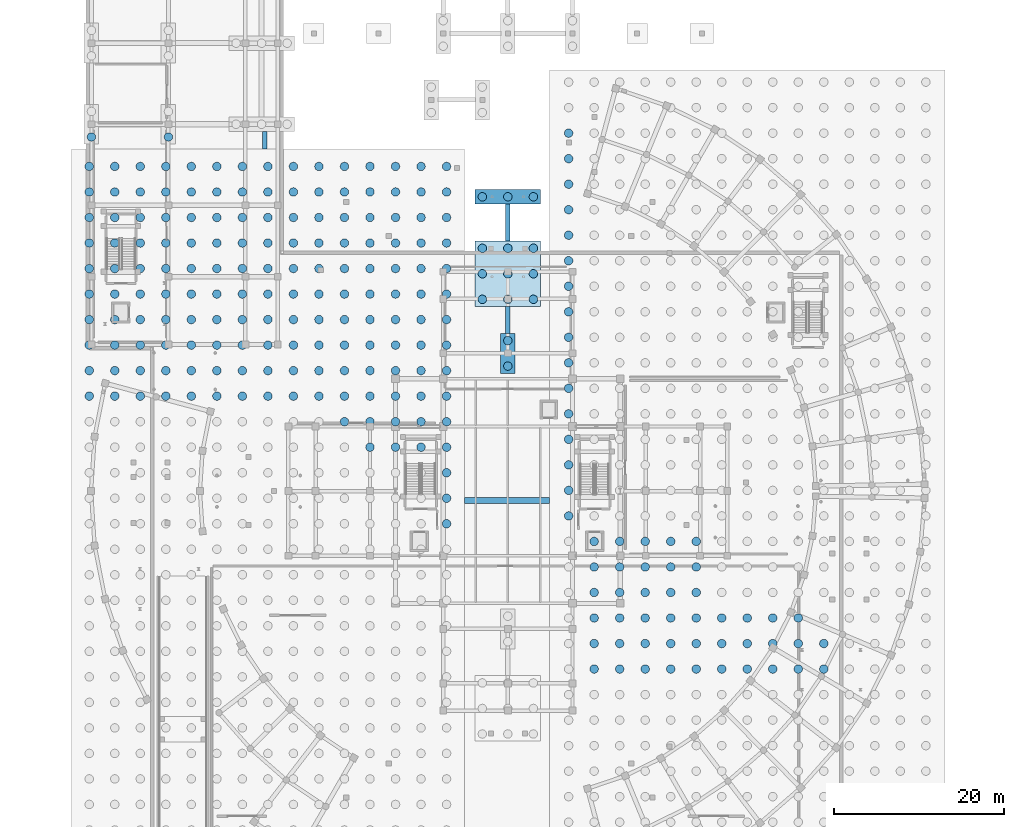
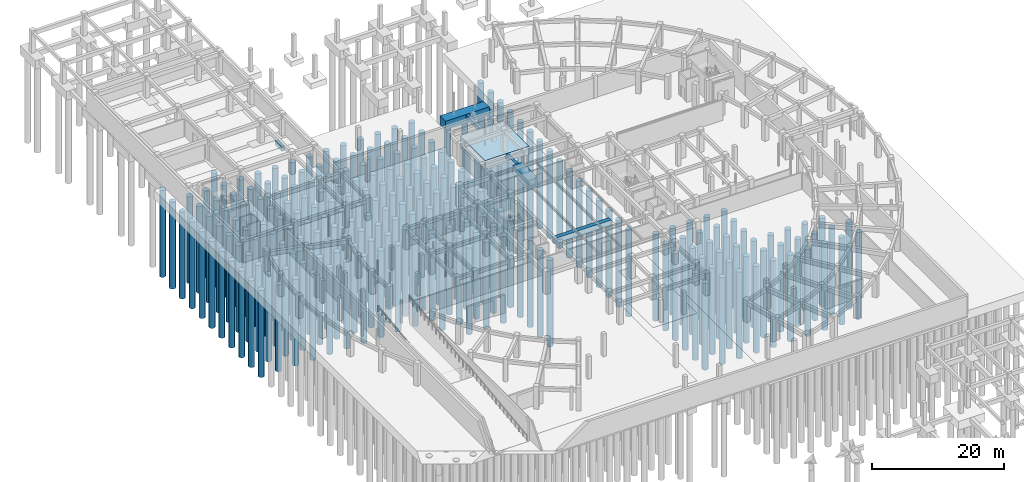
# One storey, part 4 of 33: 238 piles, 7 footings.
"""IFC4 building model written with IfcOpenShell, lengths in metres."""

from ifc_helpers import new_model, si_unit, direction, frame, origin, origin_2d, place, context, subcontext, project, spatial, rectangle, circle, extrude, material, material_profile, profile_set, type_object, element, save


model = new_model("IFC4")

# Units and contexts
model_context = context("Model", 3, precision=1e-05, world=origin(), true_north=direction((0.0, 1.0)))
body_context = subcontext(model_context, "Body", "Model", "MODEL_VIEW")
ifc_project = project(units=[si_unit("LENGTHUNIT", "METRE"), si_unit("AREAUNIT", "SQUARE_METRE"), si_unit("VOLUMEUNIT", "CUBIC_METRE"), si_unit("PLANEANGLEUNIT", "RADIAN"), si_unit("MASSUNIT", "GRAM", prefix="KILO")], contexts=[model_context])

# Site, building, storey
site_placement = place(None, origin())
site = spatial("IfcSite", under=ifc_project, at=site_placement, CompositionType="ELEMENT")
building_placement = place(site_placement, origin())
building = spatial("IfcBuilding", under=site, at=building_placement, Name="Saryqyr Civic Hall", CompositionType="ELEMENT")
storey_placement = place(building_placement, frame((0.0, 0.0, -4.199951171875)))
storey = spatial("IfcBuildingStorey", under=building, at=storey_placement, Name="B1", CompositionType="ELEMENT", Elevation=-4.199951171875)

# Footings
ifc_material = material(Name="Concrete C35/45", Category="concrete")
footing_type_1 = type_object("IfcFootingType", Name="STR-FB-500x800", PredefinedType="FOOTING_BEAM", material=ifc_material)
footing_1_placement = place(storey_placement, frame((28.422119140625, 125.24853515625, -0.80029296875), z_axis=(0.0, 0.0, 1.0), x_axis=(1.0, 0.0, 0.0)))
element("IfcFooting", 1, at=footing_1_placement, inside=storey, type_object=footing_type_1, Name="Ground tie beam FND-FB-056", PredefinedType="FOOTING_BEAM", context=body_context, shape_type="SweptSolid", body=[
    extrude(rectangle(XDim=0.5, YDim=2.06298828125, at=origin_2d()), origin(), (0.0, 0.0, 1.0), 0.800048828125),
])
footing_2_placement = place(storey_placement, frame((57.0, 104.125, -0.80029296875), z_axis=(0.0, 0.0, 1.0), x_axis=(1.0, 0.0, 0.0)))
element("IfcFooting", 2, at=footing_2_placement, inside=storey, type_object=footing_type_1, Name="Ground tie beam FND-FB-058", PredefinedType="FOOTING_BEAM", context=body_context, shape_type="SweptSolid", body=[
    extrude(rectangle(XDim=0.5, YDim=3.14990234375, at=origin_2d()), origin(), (0.0, 0.0, 1.0), 0.800048828125),
])
footing_3_placement = place(storey_placement, frame((57.0, 115.574951171875, -0.80029296875), z_axis=(0.0, 0.0, 1.0), x_axis=(1.0, 0.0, 0.0)))
element("IfcFooting", 3, at=footing_3_placement, inside=storey, type_object=footing_type_1, Name="Ground tie beam FND-FB-059", PredefinedType="FOOTING_BEAM", context=body_context, shape_type="SweptSolid", body=[
    extrude(rectangle(XDim=0.5, YDim=4.35009765625, at=origin_2d()), origin(), (0.0, 0.0, 1.0), 0.800048828125),
])
footing_type_2 = type_object("IfcFootingType", Name="STR-FB-700x1000", PredefinedType="FOOTING_BEAM", material=ifc_material)
footing_4_placement = place(storey_placement, frame((56.89404296875, 82.8759765625, -1.0), z_axis=(0.0, 0.0, 1.0), x_axis=(1.0, 0.0, 0.0)))
element("IfcFooting", 4, at=footing_4_placement, inside=storey, type_object=footing_type_2, Name="Ground tie beam FND-FB-055", PredefinedType="FOOTING_BEAM", context=body_context, shape_type="SweptSolid", body=[
    extrude(rectangle(XDim=10.0, YDim=0.699951171875, at=origin_2d()), origin(), (0.0, 0.0, 1.0), 1.0),
])
footing_type_3 = type_object("IfcFootingType", Name="STR-PCAP-1700x4700x1600", PredefinedType="PILE_CAP", material=ifc_material)
footing_5_placement = place(storey_placement, frame((57.0, 100.199951171875, -1.60009765625), z_axis=(0.0, 0.0, 1.0), x_axis=(1.0, 0.0, 0.0)))
element("IfcFooting", 5, at=footing_5_placement, inside=storey, type_object=footing_type_3, Name="Reinforced concrete pile cap FND-PCAP-047", PredefinedType="PILE_CAP", context=body_context, shape_type="SweptSolid", body=[
    extrude(rectangle(XDim=1.699951171875, YDim=4.699951171875, at=origin_2d()), origin(), (0.0, 0.0, 1.0), 1.60009765625),
])
footing_type_4 = type_object("IfcFootingType", Name="STR-PCAP-7700x1700x1600", PredefinedType="PILE_CAP", material=ifc_material)
footing_6_placement = place(storey_placement, frame((57.0, 118.60009765625, -1.60009765625), z_axis=(0.0, 0.0, 1.0), x_axis=(1.0, 0.0, 0.0)))
element("IfcFooting", 6, at=footing_6_placement, inside=storey, type_object=footing_type_4, Name="Reinforced concrete pile cap FND-PCAP-049", PredefinedType="PILE_CAP", context=body_context, shape_type="SweptSolid", body=[
    extrude(rectangle(XDim=7.699951171875, YDim=1.699951171875, at=origin_2d()), origin(), (0.0, 0.0, 1.0), 1.60009765625),
])
footing_type_5 = type_object("IfcFootingType", Name="STR-PCAP-7700x7700x1600", PredefinedType="PILE_CAP", material=ifc_material)
footing_7_placement = place(storey_placement, frame((57.0, 109.550048828125, -1.60009765625), z_axis=(0.0, 0.0, 1.0), x_axis=(1.0, 0.0, 0.0)))
element("IfcFooting", 7, at=footing_7_placement, inside=storey, type_object=footing_type_5, Name="Reinforced concrete pile cap FND-PCAP-048", PredefinedType="PILE_CAP", context=body_context, shape_type="SweptSolid", body=[
    extrude(rectangle(XDim=7.699951171875, YDim=7.699951171875, at=origin_2d()), origin(), (0.0, 0.0, 1.0), 1.60009765625),
])

# Piles
ifc_material_profile = material_profile(ifc_material, circle(Radius=0.5, at=origin_2d()), Name="BORED PILE D1000")
ifc_profile_set = profile_set([ifc_material_profile], Name="Concrete C35/45")
pile_type = type_object("IfcPileType", Name="STR-PILE-D1000", PredefinedType="BORED", material=ifc_profile_set)
for number, where, z_axis, x_axis, name in (
    (8, (64.14404296875, 81.0849609375, -1.5), (0.0, 0.0, -1.0), (1.0, 0.0, 0.0), "Bored pile FND-PCAP-043-P16"),
    (9, (64.14404296875, 84.0849609375, -1.5), (0.0, 0.0, -1.0), (1.0, 0.0, 0.0), "Bored pile FND-PCAP-043-P17"),
    (10, (64.14404296875, 87.0849609375, -1.5), (0.0, 0.0, -1.0), (1.0, 0.0, 0.0), "Bored pile FND-PCAP-043-P18"),
    (11, (64.14404296875, 90.0849609375, -1.5), (0.0, 0.0, -1.0), (1.0, 0.0, 0.0), "Bored pile FND-PCAP-043-P19"),
    (12, (64.14404296875, 93.0849609375, -1.5), (0.0, 0.0, -1.0), (1.0, 0.0, 0.0), "Bored pile FND-PCAP-043-P20"),
    (13, (64.14404296875, 96.0849609375, -1.5), (0.0, 0.0, -1.0), (1.0, 0.0, 0.0), "Bored pile FND-PCAP-043-P21"),
    (14, (64.14404296875, 99.0849609375, -1.5), (0.0, 0.0, -1.0), (1.0, 0.0, 0.0), "Bored pile FND-PCAP-043-P22"),
    (15, (64.14404296875, 102.0849609375, -1.5), (0.0, 0.0, -1.0), (1.0, 0.0, 0.0), "Bored pile FND-PCAP-043-P23"),
    (16, (64.14404296875, 105.0849609375, -1.5), (0.0, 0.0, -1.0), (1.0, 0.0, 0.0), "Bored pile FND-PCAP-043-P24"),
    (17, (64.14404296875, 108.0849609375, -1.5), (0.0, 0.0, -1.0), (1.0, 0.0, 0.0), "Bored pile FND-PCAP-043-P25"),
    (18, (64.14404296875, 111.0849609375, -1.5), (0.0, 0.0, -1.0), (1.0, 0.0, 0.0), "Bored pile FND-PCAP-043-P26"),
    (19, (64.14404296875, 114.0849609375, -1.5), (0.0, 0.0, -1.0), (1.0, 0.0, 0.0), "Bored pile FND-PCAP-043-P27"),
    (20, (64.14404296875, 117.0849609375, -1.5), (0.0, 0.0, -1.0), (1.0, 0.0, 0.0), "Bored pile FND-PCAP-043-P28"),
    (21, (64.14404296875, 120.0849609375, -1.5), (0.0, 0.0, -1.0), (1.0, 0.0, 0.0), "Bored pile FND-PCAP-043-P29"),
    (22, (64.14404296875, 123.0849609375, -1.5), (0.0, 0.0, -1.0), (1.0, 0.0, 0.0), "Bored pile FND-PCAP-043-P30"),
    (23, (64.14404296875, 126.0849609375, -1.5), (0.0, 0.0, -1.0), (1.0, 0.0, 0.0), "Bored pile FND-PCAP-043-P31"),
    (24, (67.14404296875, 63.0849609375, -1.5), (0.0, 0.0, -1.0), (1.0, 0.0, 0.0), "Bored pile FND-PCAP-043-P43"),
    (25, (67.14404296875, 66.0849609375, -1.5), (0.0, 0.0, -1.0), (1.0, 0.0, 0.0), "Bored pile FND-PCAP-043-P44"),
    (26, (67.14404296875, 69.0849609375, -1.5), (0.0, 0.0, -1.0), (1.0, 0.0, 0.0), "Bored pile FND-PCAP-043-P45"),
    (27, (67.14404296875, 72.0849609375, -1.5), (0.0, 0.0, -1.0), (1.0, 0.0, 0.0), "Bored pile FND-PCAP-043-P46"),
    (28, (67.14404296875, 75.0849609375, -1.5), (0.0, 0.0, -1.0), (1.0, 0.0, 0.0), "Bored pile FND-PCAP-043-P47"),
    (29, (67.14404296875, 78.0849609375, -1.5), (0.0, 0.0, -1.0), (1.0, 0.0, 0.0), "Bored pile FND-PCAP-043-P48"),
    (30, (70.14404296875, 63.0849609375, -1.5), (0.0, 0.0, -1.0), (1.0, 0.0, 0.0), "Bored pile FND-PCAP-043-P76"),
    (31, (70.14404296875, 66.0849609375, -1.5), (0.0, 0.0, -1.0), (1.0, 0.0, 0.0), "Bored pile FND-PCAP-043-P77"),
    (32, (70.14404296875, 69.0849609375, -1.5), (0.0, 0.0, -1.0), (1.0, 0.0, 0.0), "Bored pile FND-PCAP-043-P78"),
    (33, (70.14404296875, 72.0849609375, -1.5), (0.0, 0.0, -1.0), (1.0, 0.0, 0.0), "Bored pile FND-PCAP-043-P79"),
    (34, (70.14404296875, 75.0849609375, -1.5), (0.0, 0.0, -1.0), (1.0, 0.0, 0.0), "Bored pile FND-PCAP-043-P80"),
    (35, (70.14404296875, 78.0849609375, -1.5), (0.0, 0.0, -1.0), (1.0, 0.0, 0.0), "Bored pile FND-PCAP-043-P81"),
    (36, (73.14404296875, 63.0849609375, -1.5), (0.0, 0.0, -1.0), (1.0, 0.0, 0.0), "Bored pile FND-PCAP-043-P109"),
    (37, (73.14404296875, 66.0849609375, -1.5), (0.0, 0.0, -1.0), (1.0, 0.0, 0.0), "Bored pile FND-PCAP-043-P110"),
    (38, (73.14404296875, 69.0849609375, -1.5), (0.0, 0.0, -1.0), (1.0, 0.0, 0.0), "Bored pile FND-PCAP-043-P111"),
    (39, (73.14404296875, 72.0849609375, -1.5), (0.0, 0.0, -1.0), (1.0, 0.0, 0.0), "Bored pile FND-PCAP-043-P112"),
    (40, (73.14404296875, 75.0849609375, -1.5), (0.0, 0.0, -1.0), (1.0, 0.0, 0.0), "Bored pile FND-PCAP-043-P113"),
    (41, (73.14404296875, 78.0849609375, -1.5), (0.0, 0.0, -1.0), (1.0, 0.0, 0.0), "Bored pile FND-PCAP-043-P114"),
    (42, (76.14404296875, 63.0849609375, -1.5), (0.0, 0.0, -1.0), (1.0, 0.0, 0.0), "Bored pile FND-PCAP-043-P142"),
    (43, (76.14404296875, 66.0849609375, -1.5), (0.0, 0.0, -1.0), (1.0, 0.0, 0.0), "Bored pile FND-PCAP-043-P143"),
    (44, (76.14404296875, 69.0849609375, -1.5), (0.0, 0.0, -1.0), (1.0, 0.0, 0.0), "Bored pile FND-PCAP-043-P144"),
    (45, (76.14404296875, 72.0849609375, -1.5), (0.0, 0.0, -1.0), (1.0, 0.0, 0.0), "Bored pile FND-PCAP-043-P145"),
    (46, (76.14404296875, 75.0849609375, -1.5), (0.0, 0.0, -1.0), (1.0, 0.0, 0.0), "Bored pile FND-PCAP-043-P146"),
    (47, (76.14404296875, 78.0849609375, -1.5), (0.0, 0.0, -1.0), (1.0, 0.0, 0.0), "Bored pile FND-PCAP-043-P147"),
    (48, (79.14404296875, 63.0849609375, -1.5), (0.0, 0.0, -1.0), (1.0, 0.0, 0.0), "Bored pile FND-PCAP-043-P175"),
    (49, (79.14404296875, 66.0849609375, -1.5), (0.0, 0.0, -1.0), (1.0, 0.0, 0.0), "Bored pile FND-PCAP-043-P176"),
    (50, (79.14404296875, 69.0849609375, -1.5), (0.0, 0.0, -1.0), (1.0, 0.0, 0.0), "Bored pile FND-PCAP-043-P177"),
    (51, (79.14404296875, 72.0849609375, -1.5), (0.0, 0.0, -1.0), (1.0, 0.0, 0.0), "Bored pile FND-PCAP-043-P178"),
    (52, (79.14404296875, 75.0849609375, -1.5), (0.0, 0.0, -1.0), (1.0, 0.0, 0.0), "Bored pile FND-PCAP-043-P179"),
    (53, (79.14404296875, 78.0849609375, -1.5), (0.0, 0.0, -1.0), (1.0, 0.0, 0.0), "Bored pile FND-PCAP-043-P180"),
    (54, (82.14404296875, 63.0849609375, -1.5), (0.0, 0.0, -1.0), (1.0, 0.0, 0.0), "Bored pile FND-PCAP-043-P208"),
    (55, (82.14404296875, 66.0849609375, -1.5), (0.0, 0.0, -1.0), (1.0, 0.0, 0.0), "Bored pile FND-PCAP-043-P209"),
    (56, (82.14404296875, 69.0849609375, -1.5), (0.0, 0.0, -1.0), (1.0, 0.0, 0.0), "Bored pile FND-PCAP-043-P210"),
    (57, (85.14404296875, 63.0849609375, -1.5), (0.0, 0.0, -1.0), (1.0, 0.0, 0.0), "Bored pile FND-PCAP-043-P241"),
    (58, (85.14404296875, 66.0849609375, -1.5), (0.0, 0.0, -1.0), (1.0, 0.0, 0.0), "Bored pile FND-PCAP-043-P242"),
    (59, (85.14404296875, 69.0849609375, -1.5), (0.0, 0.0, -1.0), (1.0, 0.0, 0.0), "Bored pile FND-PCAP-043-P243"),
    (60, (88.14404296875, 63.0849609375, -1.5), (0.0, 0.0, -1.0), (1.0, 0.0, 0.0), "Bored pile FND-PCAP-043-P274"),
    (61, (88.14404296875, 66.0849609375, -1.5), (0.0, 0.0, -1.0), (1.0, 0.0, 0.0), "Bored pile FND-PCAP-043-P275"),
    (62, (88.14404296875, 69.0849609375, -1.5), (0.0, 0.0, -1.0), (1.0, 0.0, 0.0), "Bored pile FND-PCAP-043-P276"),
    (63, (91.14404296875, 63.0849609375, -1.5), (0.0, 0.0, -1.0), (1.0, 0.0, 0.0), "Bored pile FND-PCAP-043-P307"),
    (64, (91.14404296875, 66.0849609375, -1.5), (0.0, 0.0, -1.0), (1.0, 0.0, 0.0), "Bored pile FND-PCAP-043-P308"),
    (65, (91.14404296875, 69.0849609375, -1.5), (0.0, 0.0, -1.0), (1.0, 0.0, 0.0), "Bored pile FND-PCAP-043-P309"),
    (66, (94.14404296875, 63.0849609375, -1.5), (0.0, 0.0, -1.0), (1.0, 0.0, 0.0), "Bored pile FND-PCAP-043-P340"),
    (67, (94.14404296875, 66.0849609375, -1.5), (0.0, 0.0, -1.0), (1.0, 0.0, 0.0), "Bored pile FND-PCAP-043-P341"),
    (68, (7.7939453125, 95.1669921875, -1.5), (0.0, 0.0, -1.0), (1.0, 0.0, 0.0), "Bored pile FND-PCAP-044-P19"),
    (69, (7.7939453125, 98.1669921875, -1.5), (0.0, 0.0, -1.0), (1.0, 0.0, 0.0), "Bored pile FND-PCAP-044-P20"),
    (70, (7.7939453125, 101.1669921875, -1.5), (0.0, 0.0, -1.0), (1.0, 0.0, 0.0), "Bored pile FND-PCAP-044-P21"),
    (71, (7.7939453125, 104.1669921875, -1.5), (0.0, 0.0, -1.0), (1.0, 0.0, 0.0), "Bored pile FND-PCAP-044-P22"),
    (72, (7.7939453125, 107.1669921875, -1.5), (0.0, 0.0, -1.0), (1.0, 0.0, 0.0), "Bored pile FND-PCAP-044-P23"),
    (73, (7.7939453125, 110.1669921875, -1.5), (0.0, 0.0, -1.0), (1.0, 0.0, 0.0), "Bored pile FND-PCAP-044-P24"),
    (74, (7.7939453125, 113.1669921875, -1.5), (0.0, 0.0, -1.0), (1.0, 0.0, 0.0), "Bored pile FND-PCAP-044-P25"),
    (75, (7.7939453125, 116.1669921875, -1.5), (0.0, 0.0, -1.0), (1.0, 0.0, 0.0), "Bored pile FND-PCAP-044-P26"),
    (76, (7.7939453125, 119.1669921875, -1.5), (0.0, 0.0, -1.0), (1.0, 0.0, 0.0), "Bored pile FND-PCAP-044-P27"),
    (77, (7.7939453125, 122.1669921875, -1.5), (0.0, 0.0, -1.0), (1.0, 0.0, 0.0), "Bored pile FND-PCAP-044-P28"),
    (78, (10.7939453125, 95.1669921875, -1.5), (0.0, 0.0, -1.0), (1.0, 0.0, 0.0), "Bored pile FND-PCAP-044-P47"),
    (79, (10.7939453125, 98.1669921875, -1.5), (0.0, 0.0, -1.0), (1.0, 0.0, 0.0), "Bored pile FND-PCAP-044-P48"),
    (80, (10.7939453125, 101.1669921875, -1.5), (0.0, 0.0, -1.0), (1.0, 0.0, 0.0), "Bored pile FND-PCAP-044-P49"),
    (81, (10.7939453125, 104.1669921875, -1.5), (0.0, 0.0, -1.0), (1.0, 0.0, 0.0), "Bored pile FND-PCAP-044-P50"),
    (82, (10.7939453125, 107.1669921875, -1.5), (0.0, 0.0, -1.0), (1.0, 0.0, 0.0), "Bored pile FND-PCAP-044-P51"),
    (83, (10.7939453125, 110.1669921875, -1.5), (0.0, 0.0, -1.0), (1.0, 0.0, 0.0), "Bored pile FND-PCAP-044-P52"),
    (84, (10.7939453125, 113.1669921875, -1.5), (0.0, 0.0, -1.0), (1.0, 0.0, 0.0), "Bored pile FND-PCAP-044-P53"),
    (85, (10.7939453125, 116.1669921875, -1.5), (0.0, 0.0, -1.0), (1.0, 0.0, 0.0), "Bored pile FND-PCAP-044-P54"),
    (86, (10.7939453125, 119.1669921875, -1.5), (0.0, 0.0, -1.0), (1.0, 0.0, 0.0), "Bored pile FND-PCAP-044-P55"),
    (87, (10.7939453125, 122.1669921875, -1.5), (0.0, 0.0, -1.0), (1.0, 0.0, 0.0), "Bored pile FND-PCAP-044-P56"),
    (88, (13.7939453125, 95.1669921875, -1.5), (0.0, 0.0, -1.0), (1.0, 0.0, 0.0), "Bored pile FND-PCAP-044-P75"),
    (89, (13.7939453125, 98.1669921875, -1.5), (0.0, 0.0, -1.0), (1.0, 0.0, 0.0), "Bored pile FND-PCAP-044-P76"),
    (90, (13.7939453125, 101.1669921875, -1.5), (0.0, 0.0, -1.0), (1.0, 0.0, 0.0), "Bored pile FND-PCAP-044-P77"),
    (91, (13.7939453125, 104.1669921875, -1.5), (0.0, 0.0, -1.0), (1.0, 0.0, 0.0), "Bored pile FND-PCAP-044-P78"),
    (92, (13.7939453125, 107.1669921875, -1.5), (0.0, 0.0, -1.0), (1.0, 0.0, 0.0), "Bored pile FND-PCAP-044-P79"),
    (93, (13.7939453125, 110.1669921875, -1.5), (0.0, 0.0, -1.0), (1.0, 0.0, 0.0), "Bored pile FND-PCAP-044-P80"),
    (94, (13.7939453125, 113.1669921875, -1.5), (0.0, 0.0, -1.0), (1.0, 0.0, 0.0), "Bored pile FND-PCAP-044-P81"),
    (95, (13.7939453125, 116.1669921875, -1.5), (0.0, 0.0, -1.0), (1.0, 0.0, 0.0), "Bored pile FND-PCAP-044-P82"),
    (96, (13.7939453125, 119.1669921875, -1.5), (0.0, 0.0, -1.0), (1.0, 0.0, 0.0), "Bored pile FND-PCAP-044-P83"),
    (97, (13.7939453125, 122.1669921875, -1.5), (0.0, 0.0, -1.0), (1.0, 0.0, 0.0), "Bored pile FND-PCAP-044-P84"),
    (98, (16.7939453125, 95.1669921875, -1.5), (0.0, 0.0, -1.0), (1.0, 0.0, 0.0), "Bored pile FND-PCAP-044-P103"),
    (99, (16.7939453125, 98.1669921875, -1.5), (0.0, 0.0, -1.0), (1.0, 0.0, 0.0), "Bored pile FND-PCAP-044-P104"),
    (100, (16.7939453125, 101.1669921875, -1.5), (0.0, 0.0, -1.0), (1.0, 0.0, 0.0), "Bored pile FND-PCAP-044-P105"),
    (101, (16.7939453125, 104.1669921875, -1.5), (0.0, 0.0, -1.0), (1.0, 0.0, 0.0), "Bored pile FND-PCAP-044-P106"),
    (102, (16.7939453125, 107.1669921875, -1.5), (0.0, 0.0, -1.0), (1.0, 0.0, 0.0), "Bored pile FND-PCAP-044-P107"),
    (103, (16.7939453125, 110.1669921875, -1.5), (0.0, 0.0, -1.0), (1.0, 0.0, 0.0), "Bored pile FND-PCAP-044-P108"),
    (104, (16.7939453125, 113.1669921875, -1.5), (0.0, 0.0, -1.0), (1.0, 0.0, 0.0), "Bored pile FND-PCAP-044-P109"),
    (105, (16.7939453125, 116.1669921875, -1.5), (0.0, 0.0, -1.0), (1.0, 0.0, 0.0), "Bored pile FND-PCAP-044-P110"),
    (106, (16.7939453125, 119.1669921875, -1.5), (0.0, 0.0, -1.0), (1.0, 0.0, 0.0), "Bored pile FND-PCAP-044-P111"),
    (107, (16.7939453125, 122.1669921875, -1.5), (0.0, 0.0, -1.0), (1.0, 0.0, 0.0), "Bored pile FND-PCAP-044-P112"),
    (108, (19.7939453125, 95.1669921875, -1.5), (0.0, 0.0, -1.0), (1.0, 0.0, 0.0), "Bored pile FND-PCAP-044-P131"),
    (109, (19.7939453125, 98.1669921875, -1.5), (0.0, 0.0, -1.0), (1.0, 0.0, 0.0), "Bored pile FND-PCAP-044-P132"),
    (110, (19.7939453125, 101.1669921875, -1.5), (0.0, 0.0, -1.0), (1.0, 0.0, 0.0), "Bored pile FND-PCAP-044-P133"),
    (111, (19.7939453125, 104.1669921875, -1.5), (0.0, 0.0, -1.0), (1.0, 0.0, 0.0), "Bored pile FND-PCAP-044-P134"),
    (112, (19.7939453125, 107.1669921875, -1.5), (0.0, 0.0, -1.0), (1.0, 0.0, 0.0), "Bored pile FND-PCAP-044-P135"),
    (113, (19.7939453125, 110.1669921875, -1.5), (0.0, 0.0, -1.0), (1.0, 0.0, 0.0), "Bored pile FND-PCAP-044-P136"),
    (114, (19.7939453125, 113.1669921875, -1.5), (0.0, 0.0, -1.0), (1.0, 0.0, 0.0), "Bored pile FND-PCAP-044-P137"),
    (115, (19.7939453125, 116.1669921875, -1.5), (0.0, 0.0, -1.0), (1.0, 0.0, 0.0), "Bored pile FND-PCAP-044-P138"),
    (116, (19.7939453125, 119.1669921875, -1.5), (0.0, 0.0, -1.0), (1.0, 0.0, 0.0), "Bored pile FND-PCAP-044-P139"),
    (117, (19.7939453125, 122.1669921875, -1.5), (0.0, 0.0, -1.0), (1.0, 0.0, 0.0), "Bored pile FND-PCAP-044-P140"),
    (118, (22.7939453125, 95.1669921875, -1.5), (0.0, 0.0, -1.0), (1.0, 0.0, 0.0), "Bored pile FND-PCAP-044-P159"),
    (119, (22.7939453125, 98.1669921875, -1.5), (0.0, 0.0, -1.0), (1.0, 0.0, 0.0), "Bored pile FND-PCAP-044-P160"),
    (120, (22.7939453125, 101.1669921875, -1.5), (0.0, 0.0, -1.0), (1.0, 0.0, 0.0), "Bored pile FND-PCAP-044-P161"),
    (121, (22.7939453125, 104.1669921875, -1.5), (0.0, 0.0, -1.0), (1.0, 0.0, 0.0), "Bored pile FND-PCAP-044-P162"),
    (122, (22.7939453125, 107.1669921875, -1.5), (0.0, 0.0, -1.0), (1.0, 0.0, 0.0), "Bored pile FND-PCAP-044-P163"),
    (123, (22.7939453125, 110.1669921875, -1.5), (0.0, 0.0, -1.0), (1.0, 0.0, 0.0), "Bored pile FND-PCAP-044-P164"),
    (124, (22.7939453125, 113.1669921875, -1.5), (0.0, 0.0, -1.0), (1.0, 0.0, 0.0), "Bored pile FND-PCAP-044-P165"),
    (125, (22.7939453125, 116.1669921875, -1.5), (0.0, 0.0, -1.0), (1.0, 0.0, 0.0), "Bored pile FND-PCAP-044-P166"),
    (126, (22.7939453125, 119.1669921875, -1.5), (0.0, 0.0, -1.0), (1.0, 0.0, 0.0), "Bored pile FND-PCAP-044-P167"),
    (127, (22.7939453125, 122.1669921875, -1.5), (0.0, 0.0, -1.0), (1.0, 0.0, 0.0), "Bored pile FND-PCAP-044-P168"),
    (128, (25.7939453125, 95.1669921875, -1.5), (0.0, 0.0, -1.0), (1.0, 0.0, 0.0), "Bored pile FND-PCAP-044-P187"),
    (129, (25.7939453125, 98.1669921875, -1.5), (0.0, 0.0, -1.0), (1.0, 0.0, 0.0), "Bored pile FND-PCAP-044-P188"),
    (130, (25.7939453125, 101.1669921875, -1.5), (0.0, 0.0, -1.0), (1.0, 0.0, 0.0), "Bored pile FND-PCAP-044-P189"),
    (131, (25.7939453125, 104.1669921875, -1.5), (0.0, 0.0, -1.0), (1.0, 0.0, 0.0), "Bored pile FND-PCAP-044-P190"),
    (132, (25.7939453125, 107.1669921875, -1.5), (0.0, 0.0, -1.0), (1.0, 0.0, 0.0), "Bored pile FND-PCAP-044-P191"),
    (133, (25.7939453125, 110.1669921875, -1.5), (0.0, 0.0, -1.0), (1.0, 0.0, 0.0), "Bored pile FND-PCAP-044-P192"),
    (134, (25.7939453125, 113.1669921875, -1.5), (0.0, 0.0, -1.0), (1.0, 0.0, 0.0), "Bored pile FND-PCAP-044-P193"),
    (135, (25.7939453125, 116.1669921875, -1.5), (0.0, 0.0, -1.0), (1.0, 0.0, 0.0), "Bored pile FND-PCAP-044-P194"),
    (136, (25.7939453125, 119.1669921875, -1.5), (0.0, 0.0, -1.0), (1.0, 0.0, 0.0), "Bored pile FND-PCAP-044-P195"),
    (137, (25.7939453125, 122.1669921875, -1.5), (0.0, 0.0, -1.0), (1.0, 0.0, 0.0), "Bored pile FND-PCAP-044-P196"),
    (138, (28.7939453125, 95.1669921875, -1.5), (0.0, 0.0, -1.0), (1.0, 0.0, 0.0), "Bored pile FND-PCAP-044-P215"),
    (139, (28.7939453125, 98.1669921875, -1.5), (0.0, 0.0, -1.0), (1.0, 0.0, 0.0), "Bored pile FND-PCAP-044-P216"),
    (140, (28.7939453125, 101.1669921875, -1.5), (0.0, 0.0, -1.0), (1.0, 0.0, 0.0), "Bored pile FND-PCAP-044-P217"),
    (141, (28.7939453125, 104.1669921875, -1.5), (0.0, 0.0, -1.0), (1.0, 0.0, 0.0), "Bored pile FND-PCAP-044-P218"),
    (142, (28.7939453125, 107.1669921875, -1.5), (0.0, 0.0, -1.0), (1.0, 0.0, 0.0), "Bored pile FND-PCAP-044-P219"),
    (143, (28.7939453125, 110.1669921875, -1.5), (0.0, 0.0, -1.0), (1.0, 0.0, 0.0), "Bored pile FND-PCAP-044-P220"),
    (144, (28.7939453125, 113.1669921875, -1.5), (0.0, 0.0, -1.0), (1.0, 0.0, 0.0), "Bored pile FND-PCAP-044-P221"),
    (145, (28.7939453125, 116.1669921875, -1.5), (0.0, 0.0, -1.0), (1.0, 0.0, 0.0), "Bored pile FND-PCAP-044-P222"),
    (146, (28.7939453125, 119.1669921875, -1.5), (0.0, 0.0, -1.0), (1.0, 0.0, 0.0), "Bored pile FND-PCAP-044-P223"),
    (147, (28.7939453125, 122.1669921875, -1.5), (0.0, 0.0, -1.0), (1.0, 0.0, 0.0), "Bored pile FND-PCAP-044-P224"),
    (148, (31.7939453125, 95.1669921875, -1.5), (0.0, 0.0, -1.0), (1.0, 0.0, 0.0), "Bored pile FND-PCAP-044-P243"),
    (149, (31.7939453125, 98.1669921875, -1.5), (0.0, 0.0, -1.0), (1.0, 0.0, 0.0), "Bored pile FND-PCAP-044-P244"),
    (150, (31.7939453125, 101.1669921875, -1.5), (0.0, 0.0, -1.0), (1.0, 0.0, 0.0), "Bored pile FND-PCAP-044-P245"),
    (151, (31.7939453125, 104.1669921875, -1.5), (0.0, 0.0, -1.0), (1.0, 0.0, 0.0), "Bored pile FND-PCAP-044-P246"),
    (152, (31.7939453125, 107.1669921875, -1.5), (0.0, 0.0, -1.0), (1.0, 0.0, 0.0), "Bored pile FND-PCAP-044-P247"),
    (153, (31.7939453125, 110.1669921875, -1.5), (0.0, 0.0, -1.0), (1.0, 0.0, 0.0), "Bored pile FND-PCAP-044-P248"),
    (154, (31.7939453125, 113.1669921875, -1.5), (0.0, 0.0, -1.0), (1.0, 0.0, 0.0), "Bored pile FND-PCAP-044-P249"),
    (155, (31.7939453125, 116.1669921875, -1.5), (0.0, 0.0, -1.0), (1.0, 0.0, 0.0), "Bored pile FND-PCAP-044-P250"),
    (156, (31.7939453125, 119.1669921875, -1.5), (0.0, 0.0, -1.0), (1.0, 0.0, 0.0), "Bored pile FND-PCAP-044-P251"),
    (157, (31.7939453125, 122.1669921875, -1.5), (0.0, 0.0, -1.0), (1.0, 0.0, 0.0), "Bored pile FND-PCAP-044-P252"),
    (158, (34.7939453125, 95.1669921875, -1.5), (0.0, 0.0, -1.0), (1.0, 0.0, 0.0), "Bored pile FND-PCAP-044-P271"),
    (159, (34.7939453125, 98.1669921875, -1.5), (0.0, 0.0, -1.0), (1.0, 0.0, 0.0), "Bored pile FND-PCAP-044-P272"),
    (160, (34.7939453125, 101.1669921875, -1.5), (0.0, 0.0, -1.0), (1.0, 0.0, 0.0), "Bored pile FND-PCAP-044-P273"),
    (161, (34.7939453125, 104.1669921875, -1.5), (0.0, 0.0, -1.0), (1.0, 0.0, 0.0), "Bored pile FND-PCAP-044-P274"),
    (162, (34.7939453125, 107.1669921875, -1.5), (0.0, 0.0, -1.0), (1.0, 0.0, 0.0), "Bored pile FND-PCAP-044-P275"),
    (163, (34.7939453125, 110.1669921875, -1.5), (0.0, 0.0, -1.0), (1.0, 0.0, 0.0), "Bored pile FND-PCAP-044-P276"),
    (164, (34.7939453125, 113.1669921875, -1.5), (0.0, 0.0, -1.0), (1.0, 0.0, 0.0), "Bored pile FND-PCAP-044-P277"),
    (165, (34.7939453125, 116.1669921875, -1.5), (0.0, 0.0, -1.0), (1.0, 0.0, 0.0), "Bored pile FND-PCAP-044-P278"),
    (166, (34.7939453125, 119.1669921875, -1.5), (0.0, 0.0, -1.0), (1.0, 0.0, 0.0), "Bored pile FND-PCAP-044-P279"),
    (167, (34.7939453125, 122.1669921875, -1.5), (0.0, 0.0, -1.0), (1.0, 0.0, 0.0), "Bored pile FND-PCAP-044-P280"),
    (168, (37.7939453125, 92.1669921875, -1.5), (0.0, 0.0, -1.0), (1.0, 0.0, 0.0), "Bored pile FND-PCAP-044-P298"),
    (169, (37.7939453125, 95.1669921875, -1.5), (0.0, 0.0, -1.0), (1.0, 0.0, 0.0), "Bored pile FND-PCAP-044-P299"),
    (170, (37.7939453125, 98.1669921875, -1.5), (0.0, 0.0, -1.0), (1.0, 0.0, 0.0), "Bored pile FND-PCAP-044-P300"),
    (171, (37.7939453125, 101.1669921875, -1.5), (0.0, 0.0, -1.0), (1.0, 0.0, 0.0), "Bored pile FND-PCAP-044-P301"),
    (172, (37.7939453125, 104.1669921875, -1.5), (0.0, 0.0, -1.0), (1.0, 0.0, 0.0), "Bored pile FND-PCAP-044-P302"),
    (173, (37.7939453125, 107.1669921875, -1.5), (0.0, 0.0, -1.0), (1.0, 0.0, 0.0), "Bored pile FND-PCAP-044-P303"),
    (174, (37.7939453125, 110.1669921875, -1.5), (0.0, 0.0, -1.0), (1.0, 0.0, 0.0), "Bored pile FND-PCAP-044-P304"),
    (175, (37.7939453125, 113.1669921875, -1.5), (0.0, 0.0, -1.0), (1.0, 0.0, 0.0), "Bored pile FND-PCAP-044-P305"),
    (176, (37.7939453125, 116.1669921875, -1.5), (0.0, 0.0, -1.0), (1.0, 0.0, 0.0), "Bored pile FND-PCAP-044-P306"),
    (177, (37.7939453125, 119.1669921875, -1.5), (0.0, 0.0, -1.0), (1.0, 0.0, 0.0), "Bored pile FND-PCAP-044-P307"),
    (178, (37.7939453125, 122.1669921875, -1.5), (0.0, 0.0, -1.0), (1.0, 0.0, 0.0), "Bored pile FND-PCAP-044-P308"),
    (179, (40.7939453125, 89.1669921875, -1.5), (0.0, 0.0, -1.0), (1.0, 0.0, 0.0), "Bored pile FND-PCAP-044-P325"),
    (180, (40.7939453125, 92.1669921875, -1.5), (0.0, 0.0, -1.0), (1.0, 0.0, 0.0), "Bored pile FND-PCAP-044-P326"),
    (181, (40.7939453125, 95.1669921875, -1.5), (0.0, 0.0, -1.0), (1.0, 0.0, 0.0), "Bored pile FND-PCAP-044-P327"),
    (182, (40.7939453125, 98.1669921875, -1.5), (0.0, 0.0, -1.0), (1.0, 0.0, 0.0), "Bored pile FND-PCAP-044-P328"),
    (183, (40.7939453125, 101.1669921875, -1.5), (0.0, 0.0, -1.0), (1.0, 0.0, 0.0), "Bored pile FND-PCAP-044-P329"),
    (184, (40.7939453125, 104.1669921875, -1.5), (0.0, 0.0, -1.0), (1.0, 0.0, 0.0), "Bored pile FND-PCAP-044-P330"),
    (185, (40.7939453125, 107.1669921875, -1.5), (0.0, 0.0, -1.0), (1.0, 0.0, 0.0), "Bored pile FND-PCAP-044-P331"),
    (186, (40.7939453125, 110.1669921875, -1.5), (0.0, 0.0, -1.0), (1.0, 0.0, 0.0), "Bored pile FND-PCAP-044-P332"),
    (187, (40.7939453125, 113.1669921875, -1.5), (0.0, 0.0, -1.0), (1.0, 0.0, 0.0), "Bored pile FND-PCAP-044-P333"),
    (188, (40.7939453125, 116.1669921875, -1.5), (0.0, 0.0, -1.0), (1.0, 0.0, 0.0), "Bored pile FND-PCAP-044-P334"),
    (189, (40.7939453125, 119.1669921875, -1.5), (0.0, 0.0, -1.0), (1.0, 0.0, 0.0), "Bored pile FND-PCAP-044-P335"),
    (190, (40.7939453125, 122.1669921875, -1.5), (0.0, 0.0, -1.0), (1.0, 0.0, 0.0), "Bored pile FND-PCAP-044-P336"),
    (191, (43.7939453125, 89.1669921875, -1.5), (0.0, 0.0, -1.0), (1.0, 0.0, 0.0), "Bored pile FND-PCAP-044-P353"),
    (192, (43.7939453125, 92.1669921875, -1.5), (0.0, 0.0, -1.0), (1.0, 0.0, 0.0), "Bored pile FND-PCAP-044-P354"),
    (193, (43.7939453125, 95.1669921875, -1.5), (0.0, 0.0, -1.0), (1.0, 0.0, 0.0), "Bored pile FND-PCAP-044-P355"),
    (194, (43.7939453125, 98.1669921875, -1.5), (0.0, 0.0, -1.0), (1.0, 0.0, 0.0), "Bored pile FND-PCAP-044-P356"),
    (195, (43.7939453125, 101.1669921875, -1.5), (0.0, 0.0, -1.0), (1.0, 0.0, 0.0), "Bored pile FND-PCAP-044-P357"),
    (196, (43.7939453125, 104.1669921875, -1.5), (0.0, 0.0, -1.0), (1.0, 0.0, 0.0), "Bored pile FND-PCAP-044-P358"),
    (197, (43.7939453125, 107.1669921875, -1.5), (0.0, 0.0, -1.0), (1.0, 0.0, 0.0), "Bored pile FND-PCAP-044-P359"),
    (198, (43.7939453125, 110.1669921875, -1.5), (0.0, 0.0, -1.0), (1.0, 0.0, 0.0), "Bored pile FND-PCAP-044-P360"),
    (199, (43.7939453125, 113.1669921875, -1.5), (0.0, 0.0, -1.0), (1.0, 0.0, 0.0), "Bored pile FND-PCAP-044-P361"),
    (200, (43.7939453125, 116.1669921875, -1.5), (0.0, 0.0, -1.0), (1.0, 0.0, 0.0), "Bored pile FND-PCAP-044-P362"),
    (201, (43.7939453125, 119.1669921875, -1.5), (0.0, 0.0, -1.0), (1.0, 0.0, 0.0), "Bored pile FND-PCAP-044-P363"),
    (202, (43.7939453125, 122.1669921875, -1.5), (0.0, 0.0, -1.0), (1.0, 0.0, 0.0), "Bored pile FND-PCAP-044-P364"),
    (203, (46.7939453125, 89.1669921875, -1.5), (0.0, 0.0, -1.0), (1.0, 0.0, 0.0), "Bored pile FND-PCAP-044-P381"),
    (204, (46.7939453125, 92.1669921875, -1.5), (0.0, 0.0, -1.0), (1.0, 0.0, 0.0), "Bored pile FND-PCAP-044-P382"),
    (205, (46.7939453125, 95.1669921875, -1.5), (0.0, 0.0, -1.0), (1.0, 0.0, 0.0), "Bored pile FND-PCAP-044-P383"),
    (206, (46.7939453125, 98.1669921875, -1.5), (0.0, 0.0, -1.0), (1.0, 0.0, 0.0), "Bored pile FND-PCAP-044-P384"),
    (207, (46.7939453125, 101.1669921875, -1.5), (0.0, 0.0, -1.0), (1.0, 0.0, 0.0), "Bored pile FND-PCAP-044-P385"),
    (208, (46.7939453125, 104.1669921875, -1.5), (0.0, 0.0, -1.0), (1.0, 0.0, 0.0), "Bored pile FND-PCAP-044-P386"),
    (209, (46.7939453125, 107.1669921875, -1.5), (0.0, 0.0, -1.0), (1.0, 0.0, 0.0), "Bored pile FND-PCAP-044-P387"),
    (210, (46.7939453125, 110.1669921875, -1.5), (0.0, 0.0, -1.0), (1.0, 0.0, 0.0), "Bored pile FND-PCAP-044-P388"),
    (211, (46.7939453125, 113.1669921875, -1.5), (0.0, 0.0, -1.0), (1.0, 0.0, 0.0), "Bored pile FND-PCAP-044-P389"),
    (212, (46.7939453125, 116.1669921875, -1.5), (0.0, 0.0, -1.0), (1.0, 0.0, 0.0), "Bored pile FND-PCAP-044-P390"),
    (213, (46.7939453125, 119.1669921875, -1.5), (0.0, 0.0, -1.0), (1.0, 0.0, 0.0), "Bored pile FND-PCAP-044-P391"),
    (214, (46.7939453125, 122.1669921875, -1.5), (0.0, 0.0, -1.0), (1.0, 0.0, 0.0), "Bored pile FND-PCAP-044-P392"),
    (215, (49.7939453125, 80.1669921875, -1.5), (0.0, 0.0, -1.0), (1.0, 0.0, 0.0), "Bored pile FND-PCAP-044-P406"),
    (216, (49.7939453125, 83.1669921875, -1.5), (0.0, 0.0, -1.0), (1.0, 0.0, 0.0), "Bored pile FND-PCAP-044-P407"),
    (217, (49.7939453125, 86.1669921875, -1.5), (0.0, 0.0, -1.0), (1.0, 0.0, 0.0), "Bored pile FND-PCAP-044-P408"),
    (218, (49.7939453125, 89.1669921875, -1.5), (0.0, 0.0, -1.0), (1.0, 0.0, 0.0), "Bored pile FND-PCAP-044-P409"),
    (219, (49.7939453125, 92.1669921875, -1.5), (0.0, 0.0, -1.0), (1.0, 0.0, 0.0), "Bored pile FND-PCAP-044-P410"),
    (220, (49.7939453125, 95.1669921875, -1.5), (0.0, 0.0, -1.0), (1.0, 0.0, 0.0), "Bored pile FND-PCAP-044-P411"),
    (221, (49.7939453125, 98.1669921875, -1.5), (0.0, 0.0, -1.0), (1.0, 0.0, 0.0), "Bored pile FND-PCAP-044-P412"),
    (222, (49.7939453125, 101.1669921875, -1.5), (0.0, 0.0, -1.0), (1.0, 0.0, 0.0), "Bored pile FND-PCAP-044-P413"),
    (223, (49.7939453125, 104.1669921875, -1.5), (0.0, 0.0, -1.0), (1.0, 0.0, 0.0), "Bored pile FND-PCAP-044-P414"),
    (224, (49.7939453125, 107.1669921875, -1.5), (0.0, 0.0, -1.0), (1.0, 0.0, 0.0), "Bored pile FND-PCAP-044-P415"),
    (225, (49.7939453125, 110.1669921875, -1.5), (0.0, 0.0, -1.0), (1.0, 0.0, 0.0), "Bored pile FND-PCAP-044-P416"),
    (226, (49.7939453125, 113.1669921875, -1.5), (0.0, 0.0, -1.0), (1.0, 0.0, 0.0), "Bored pile FND-PCAP-044-P417"),
    (227, (49.7939453125, 116.1669921875, -1.5), (0.0, 0.0, -1.0), (1.0, 0.0, 0.0), "Bored pile FND-PCAP-044-P418"),
    (228, (49.7939453125, 119.1669921875, -1.5), (0.0, 0.0, -1.0), (1.0, 0.0, 0.0), "Bored pile FND-PCAP-044-P419"),
    (229, (49.7939453125, 122.1669921875, -1.5), (0.0, 0.0, -1.0), (1.0, 0.0, 0.0), "Bored pile FND-PCAP-044-P420"),
    (230, (57.0, 98.699951171875, -1.5), (0.0, 0.0, -1.0), (1.0, 0.0, 0.0), "Bored pile FND-PCAP-047-P01"),
    (231, (57.0, 101.699951171875, -1.5), (0.0, 0.0, -1.0), (1.0, 0.0, 0.0), "Bored pile FND-PCAP-047-P02"),
    (232, (54.0, 106.550048828125, -1.5), (0.0, 0.0, -1.0), (1.0, 0.0, 0.0), "Bored pile FND-PCAP-048-P01"),
    (233, (54.0, 109.550048828125, -1.5), (0.0, 0.0, -1.0), (1.0, 0.0, 0.0), "Bored pile FND-PCAP-048-P02"),
    (234, (54.0, 112.550048828125, -1.5), (0.0, 0.0, -1.0), (1.0, 0.0, 0.0), "Bored pile FND-PCAP-048-P03"),
    (235, (57.0, 106.550048828125, -1.5), (0.0, 0.0, -1.0), (1.0, 0.0, 0.0), "Bored pile FND-PCAP-048-P04"),
    (236, (57.0, 109.550048828125, -1.5), (0.0, 0.0, -1.0), (1.0, 0.0, 0.0), "Bored pile FND-PCAP-048-P05"),
    (237, (57.0, 112.550048828125, -1.5), (0.0, 0.0, -1.0), (1.0, 0.0, 0.0), "Bored pile FND-PCAP-048-P06"),
    (238, (60.0, 106.550048828125, -1.5), (0.0, 0.0, -1.0), (1.0, 0.0, 0.0), "Bored pile FND-PCAP-048-P07"),
    (239, (60.0, 109.550048828125, -1.5), (0.0, 0.0, -1.0), (1.0, 0.0, 0.0), "Bored pile FND-PCAP-048-P08"),
    (240, (60.0, 112.550048828125, -1.5), (0.0, 0.0, -1.0), (1.0, 0.0, 0.0), "Bored pile FND-PCAP-048-P09"),
    (241, (54.0, 118.60009765625, -1.5), (0.0, 0.0, -1.0), (1.0, 0.0, 0.0), "Bored pile FND-PCAP-049-P01"),
    (242, (57.0, 118.60009765625, -1.5), (0.0, 0.0, -1.0), (1.0, 0.0, 0.0), "Bored pile FND-PCAP-049-P02"),
    (243, (60.0, 118.60009765625, -1.5), (0.0, 0.0, -1.0), (1.0, 0.0, 0.0), "Bored pile FND-PCAP-049-P03"),
    (244, (8.050048828125, 125.6298828125, -1.5), (0.0, 0.0, -1.0), (1.0, 0.0, 0.0), "Bored pile FND-PCAP-050-P01"),
    (245, (17.10009765625, 125.6298828125, -1.5), (0.0, 0.0, -1.0), (1.0, 0.0, 0.0), "Bored pile FND-PCAP-051-P01"),
):
    element("IfcPile", number, at=place(storey_placement, frame(where, z_axis=z_axis, x_axis=x_axis)), inside=storey, type_object=pile_type, Name=name, PredefinedType="BORED", context=body_context, shape_type="SweptSolid", body=[
        extrude(circle(Radius=0.5, at=origin_2d()), origin(), (0.0, 0.0, 1.0), 16.10009765625),
    ])

save(model, "model.ifc")
